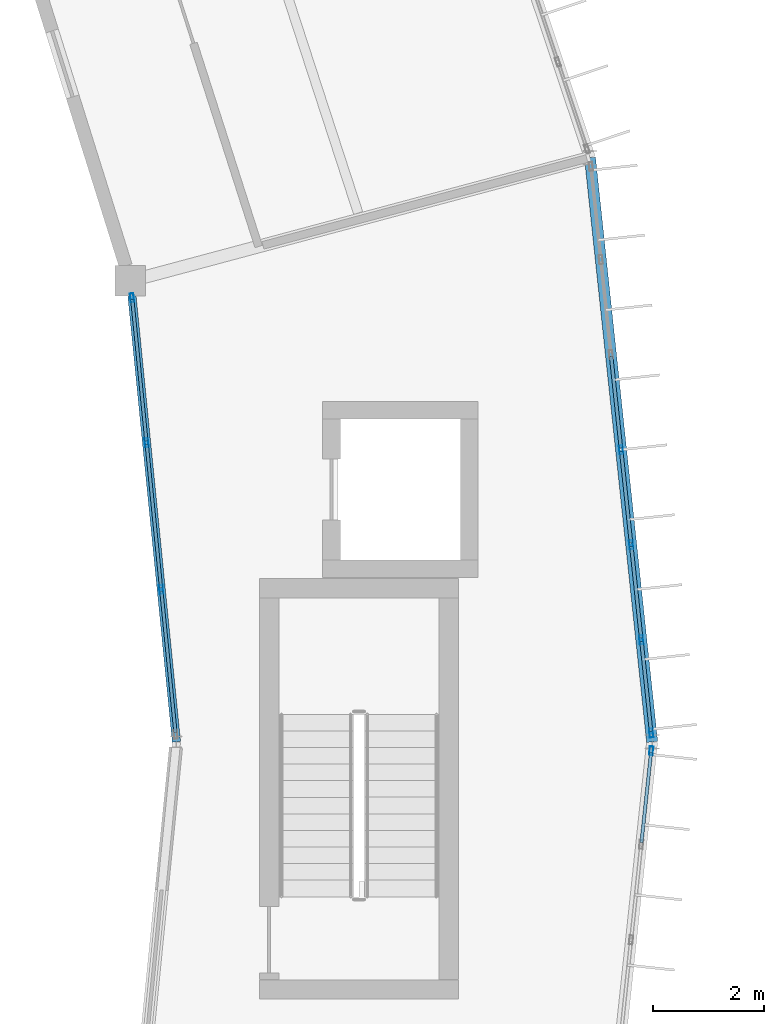
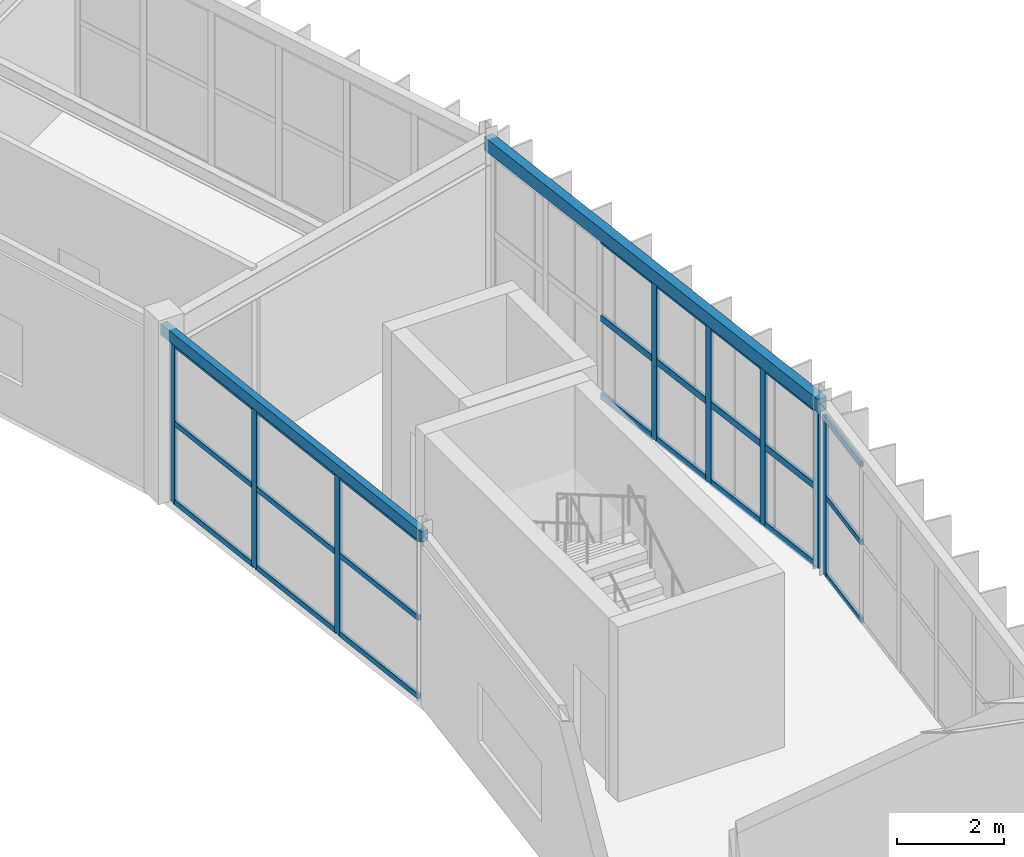
# One storey, part 51 of 106: 32 members, 2 beams, 3 elements without a shape of their own.
"""IFC4 building model written with IfcOpenShell, lengths in metres."""

from ifc_helpers import new_model, si_unit, direction, frame, origin, origin_2d, place, context, subcontext, project, spatial, hollow_rectangle, extrude, material, material_profile, profile_set, type_object, element, aggregate, save


model = new_model("IFC4")

# Units and contexts
model_context = context("Model", 3, precision=1e-05, world=origin(), true_north=direction((0.0, 1.0)))
body_context = subcontext(model_context, "Body", "Model", "MODEL_VIEW")
ifc_project = project(units=[si_unit("LENGTHUNIT", "METRE"), si_unit("AREAUNIT", "SQUARE_METRE"), si_unit("VOLUMEUNIT", "CUBIC_METRE"), si_unit("PLANEANGLEUNIT", "RADIAN"), si_unit("MASSUNIT", "GRAM", prefix="KILO")], contexts=[model_context])

# Site, building, storey
site_placement = place(None, origin())
site = spatial("IfcSite", under=ifc_project, at=site_placement, CompositionType="ELEMENT")
building_placement = place(site_placement, origin())
building = spatial("IfcBuilding", under=site, at=building_placement, Name="Karori Crest Natural Sciences Institute", CompositionType="ELEMENT")
storey_placement = place(building_placement, frame((0.0, 0.0, 25.89990234375)))
storey = spatial("IfcBuildingStorey", under=building, at=storey_placement, Name="L06", CompositionType="ELEMENT", Elevation=25.89990234375)

# Beams
ifc_material_1 = material(Name="Hollow structural steel AS/NZS 1163 Grade C350", Category="steel")
ifc_material_profile_1 = material_profile(ifc_material_1, hollow_rectangle(XDim=0.199951171875, YDim=0.300048828125, WallThickness=0.010009765625, at=origin_2d()), Name="RHS300x200x10")
ifc_profile_set_1 = profile_set([ifc_material_profile_1], Name="Hollow structural steel AS/NZS 1163 Grade C350")
beam_type_1 = type_object("IfcBeamType", Name="BT-15", PredefinedType="SPANDREL", material=ifc_profile_set_1)
beam_1_placement = place(storey_placement, frame((99.39990234375, 49.89990234375, 3.7900390625), z_axis=(-0.105868278464, 0.994380162521, 0.0), x_axis=(-0.994380162521, -0.105868278464, 0.0)))
element("IfcBeam", 1, at=beam_1_placement, inside=storey, type_object=beam_type_1, Name="Beam B-0619", PredefinedType="SPANDREL", context=body_context, shape_type="SweptSolid", body=[
    extrude(hollow_rectangle(XDim=0.199951171875, YDim=0.300048828125, WallThickness=0.010009765625, at=origin_2d()), origin(), (0.0, 0.0, 1.0), 10.619384765625),
])
ifc_material_profile_2 = material_profile(ifc_material_1, hollow_rectangle(XDim=0.14990234375, YDim=0.25, WallThickness=0.009033203125, at=origin_2d()), Name="RHS250x150x9")
ifc_profile_set_2 = profile_set([ifc_material_profile_2], Name="Hollow structural steel AS/NZS 1163 Grade C350")
beam_type_2 = type_object("IfcBeamType", Name="BT-16", PredefinedType="SPANDREL", material=ifc_profile_set_2)
beam_2_placement = place(storey_placement, frame((90.800048828125, 49.89990234375, 3.7900390625), z_axis=(-0.099284371237, 0.99505910057, 0.0), x_axis=(-0.99505910057, -0.099284371237, 0.0)))
element("IfcBeam", 2, at=beam_2_placement, inside=storey, type_object=beam_type_2, Name="Beam B-0620", PredefinedType="SPANDREL", context=body_context, shape_type="SweptSolid", body=[
    extrude(hollow_rectangle(XDim=0.14990234375, YDim=0.25, WallThickness=0.009033203125, at=origin_2d()), origin(), (0.0, 0.0, 1.0), 8.37548828125),
])

# Curtain wall, member
ifc_material_2 = material(Name="Anodised architectural aluminium 6063-T6", Category="aluminium")
curtain_wall_type_1 = type_object("IfcCurtainWallType", Name="CWT-04", PredefinedType="NOTDEFINED", material=ifc_material_2)
curtain_wall_1_placement = place(storey_placement, origin())
curtain_wall_1 = element("IfcCurtainWall", 3, at=curtain_wall_1_placement, inside=storey, type_object=curtain_wall_type_1, Name="Curtain wall CW-0219", PredefinedType="NOTDEFINED")
ifc_material_profile_3 = material_profile(ifc_material_2, hollow_rectangle(XDim=0.06494140625, YDim=0.159912109375, WallThickness=0.00390625, at=origin_2d()), Name="CWM160x65x4")
ifc_profile_set_3 = profile_set([ifc_material_profile_3], Name="Anodised architectural aluminium 6063-T6")
member_type_1 = type_object("IfcMemberType", Name="CWM-01", PredefinedType="MULLION", material=ifc_profile_set_3)
member_1_placement = place(storey_placement, frame((99.383056640625, 49.73974609375, 0.0), z_axis=(0.0, 0.0, 1.0), x_axis=(0.994378309998, -0.105885677057, 0.0)))
member_1 = element("IfcMember", 4, at=member_1_placement, type_object=member_type_1, Name="CW-0219 mullion 1", PredefinedType="MULLION", context=body_context, shape_type="SweptSolid", body=[
    extrude(hollow_rectangle(XDim=0.06494140625, YDim=0.159912109375, WallThickness=0.00390625, at=origin_2d()), origin(), (0.0, 0.0, 1.0), 3.625),
])

# Curtain wall, members
curtain_wall_type_2 = type_object("IfcCurtainWallType", Name="CWT-01", PredefinedType="NOTDEFINED", material=ifc_material_2)
curtain_wall_2_placement = place(storey_placement, origin())
curtain_wall_2 = element("IfcCurtainWall", 5, at=curtain_wall_2_placement, inside=storey, type_object=curtain_wall_type_2, Name="Curtain wall CW-0220", PredefinedType="NOTDEFINED")
member_2_placement = place(storey_placement, frame((98.837646484375, 55.181396484375, 0.0), z_axis=(0.0, 0.0, 1.0), x_axis=(0.994378435661, 0.105884496939, 0.0)))
member_2 = element("IfcMember", 6, at=member_2_placement, type_object=member_type_1, Name="CW-0220 mullion 4", PredefinedType="MULLION", context=body_context, shape_type="SweptSolid", body=[
    extrude(hollow_rectangle(XDim=0.06494140625, YDim=0.159912109375, WallThickness=0.00390625, at=origin_2d()), origin(), (0.0, 0.0, 1.0), 3.625),
])
member_3_placement = place(storey_placement, frame((99.0205078125, 53.463623046875, 0.0), z_axis=(0.0, 0.0, 1.0), x_axis=(0.994378435661, 0.105884496939, 0.0)))
member_3 = element("IfcMember", 7, at=member_3_placement, type_object=member_type_1, Name="CW-0220 mullion 5", PredefinedType="MULLION", context=body_context, shape_type="SweptSolid", body=[
    extrude(hollow_rectangle(XDim=0.06494140625, YDim=0.159912109375, WallThickness=0.00390625, at=origin_2d()), origin(), (0.0, 0.0, 1.0), 3.625),
])
member_4_placement = place(storey_placement, frame((99.203369140625, 51.745849609375, 0.0), z_axis=(0.0, 0.0, 1.0), x_axis=(0.994378435661, 0.105884496939, 0.0)))
member_4 = element("IfcMember", 8, at=member_4_placement, type_object=member_type_1, Name="CW-0220 mullion 6", PredefinedType="MULLION", context=body_context, shape_type="SweptSolid", body=[
    extrude(hollow_rectangle(XDim=0.06494140625, YDim=0.159912109375, WallThickness=0.00390625, at=origin_2d()), origin(), (0.0, 0.0, 1.0), 3.625),
])
member_5_placement = place(storey_placement, frame((99.383056640625, 50.060302734375, 0.0), z_axis=(0.0, 0.0, 1.0), x_axis=(0.994378435661, 0.105884496939, 0.0)))
member_5 = element("IfcMember", 9, at=member_5_placement, type_object=member_type_1, Name="CW-0220 mullion 7", PredefinedType="MULLION", context=body_context, shape_type="SweptSolid", body=[
    extrude(hollow_rectangle(XDim=0.06494140625, YDim=0.159912109375, WallThickness=0.00390625, at=origin_2d()), origin(), (0.0, 0.0, 1.0), 3.625),
])

curtain_wall_type_3 = type_object("IfcCurtainWallType", Name="CWT-11", PredefinedType="NOTDEFINED", material=ifc_material_2)
curtain_wall_3_placement = place(storey_placement, origin())
curtain_wall_3 = element("IfcCurtainWall", 10, at=curtain_wall_3_placement, inside=storey, type_object=curtain_wall_type_3, Name="Curtain wall CW-0221", PredefinedType="NOTDEFINED")
member_6_placement = place(storey_placement, frame((90.525146484375, 52.65576171875, 0.0), z_axis=(0.0, 0.0, 1.0), x_axis=(-0.995060684604, -0.099268494275, 0.0)))
member_6 = element("IfcMember", 11, at=member_6_placement, type_object=member_type_1, Name="CW-0221 mullion 2", PredefinedType="MULLION", context=body_context, shape_type="SweptSolid", body=[
    extrude(hollow_rectangle(XDim=0.06494140625, YDim=0.159912109375, WallThickness=0.00390625, at=origin_2d()), origin(), (0.0, 0.0, 1.0), 3.650146484375),
])
member_7_placement = place(storey_placement, frame((90.260498046875, 55.308349609375, 0.0), z_axis=(0.0, 0.0, 1.0), x_axis=(-0.995060684604, -0.099268494275, 0.0)))
member_7 = element("IfcMember", 12, at=member_7_placement, type_object=member_type_1, Name="CW-0221 mullion 3", PredefinedType="MULLION", context=body_context, shape_type="SweptSolid", body=[
    extrude(hollow_rectangle(XDim=0.06494140625, YDim=0.159912109375, WallThickness=0.00390625, at=origin_2d()), origin(), (0.0, 0.0, 1.0), 3.650146484375),
])
member_8_placement = place(storey_placement, frame((89.9990234375, 57.9287109375, 0.0), z_axis=(0.0, 0.0, 1.0), x_axis=(-0.995060684604, -0.099268494275, 0.0)))
member_8 = element("IfcMember", 13, at=member_8_placement, type_object=member_type_1, Name="CW-0221 mullion 4", PredefinedType="MULLION", context=body_context, shape_type="SweptSolid", body=[
    extrude(hollow_rectangle(XDim=0.06494140625, YDim=0.159912109375, WallThickness=0.00390625, at=origin_2d()), origin(), (0.0, 0.0, 1.0), 3.650146484375),
])

# Member
ifc_material_profile_4 = material_profile(ifc_material_2, hollow_rectangle(XDim=0.06005859375, YDim=0.1201171875, WallThickness=0.00390625, at=origin_2d()), Name="CWT120x60x4")
ifc_profile_set_4 = profile_set([ifc_material_profile_4], Name="Anodised architectural aluminium 6063-T6")
member_type_2 = type_object("IfcMemberType", Name="CWT-TR1", PredefinedType="USERDEFINED", material=ifc_profile_set_4)
member_9_placement = place(storey_placement, frame((99.379638671875, 49.707275390625, 0.030029296875), z_axis=(-0.105996192923, -0.994366535582, 0.0), x_axis=(0.994366535582, -0.105996192923, 0.0)))
member_9 = element("IfcMember", 14, at=member_9_placement, type_object=member_type_2, Name="CW-0219 transom 1.1", ObjectType="TRANSOM", PredefinedType="USERDEFINED", context=body_context, shape_type="SweptSolid", body=[
    extrude(hollow_rectangle(XDim=0.06005859375, YDim=0.1201171875, WallThickness=0.00390625, at=origin_2d()), origin(), (0.0, 0.0, 1.0), 1.6376953125),
])

member_10_placement = place(storey_placement, frame((99.379638671875, 49.707275390625, 1.8125), z_axis=(-0.105996192923, -0.994366535582, 0.0), x_axis=(0.994366535582, -0.105996192923, 0.0)))
member_10 = element("IfcMember", 15, at=member_10_placement, type_object=member_type_2, Name="CW-0219 transom 1.2", ObjectType="TRANSOM", PredefinedType="USERDEFINED", context=body_context, shape_type="SweptSolid", body=[
    extrude(hollow_rectangle(XDim=0.06005859375, YDim=0.1201171875, WallThickness=0.00390625, at=origin_2d()), origin(), (0.0, 0.0, 1.0), 1.6376953125),
])

member_11_placement = place(storey_placement, frame((99.379638671875, 49.707275390625, 3.59521484375), z_axis=(-0.105996192923, -0.994366535582, 0.0), x_axis=(0.994366535582, -0.105996192923, 0.0)))
member_11 = element("IfcMember", 16, at=member_11_placement, type_object=member_type_2, Name="CW-0219 transom 1.3", ObjectType="TRANSOM", PredefinedType="USERDEFINED", context=body_context, shape_type="SweptSolid", body=[
    extrude(hollow_rectangle(XDim=0.06005859375, YDim=0.1201171875, WallThickness=0.00390625, at=origin_2d()), origin(), (0.0, 0.0, 1.0), 1.6376953125),
])

aggregate(curtain_wall_1, [member_1, member_9, member_10, member_11])

member_12_placement = place(storey_placement, frame((90.783203125, 50.067626953125, 0.030029296875), z_axis=(-0.099240189366, 0.99506350793, 0.0), x_axis=(-0.99506350793, -0.099240189366, 0.0)))
member_12 = element("IfcMember", 17, at=member_12_placement, type_object=member_type_2, Name="CW-0221 transom 1.1", ObjectType="TRANSOM", PredefinedType="USERDEFINED", context=body_context, shape_type="SweptSolid", body=[
    extrude(hollow_rectangle(XDim=0.06005859375, YDim=0.1201171875, WallThickness=0.00390625, at=origin_2d()), origin(), (0.0, 0.0, 1.0), 2.568359375),
])

member_13_placement = place(storey_placement, frame((90.783203125, 50.067626953125, 1.8251953125), z_axis=(-0.099240189366, 0.99506350793, 0.0), x_axis=(-0.99506350793, -0.099240189366, 0.0)))
member_13 = element("IfcMember", 18, at=member_13_placement, type_object=member_type_2, Name="CW-0221 transom 1.2", ObjectType="TRANSOM", PredefinedType="USERDEFINED", context=body_context, shape_type="SweptSolid", body=[
    extrude(hollow_rectangle(XDim=0.06005859375, YDim=0.1201171875, WallThickness=0.00390625, at=origin_2d()), origin(), (0.0, 0.0, 1.0), 2.568359375),
])

member_14_placement = place(storey_placement, frame((90.783203125, 50.067626953125, 3.6201171875), z_axis=(-0.099240189366, 0.99506350793, 0.0), x_axis=(-0.99506350793, -0.099240189366, 0.0)))
member_14 = element("IfcMember", 19, at=member_14_placement, type_object=member_type_2, Name="CW-0221 transom 1.3", ObjectType="TRANSOM", PredefinedType="USERDEFINED", context=body_context, shape_type="SweptSolid", body=[
    extrude(hollow_rectangle(XDim=0.06005859375, YDim=0.1201171875, WallThickness=0.00390625, at=origin_2d()), origin(), (0.0, 0.0, 1.0), 2.568359375),
])

member_15_placement = place(storey_placement, frame((90.521728515625, 52.68798828125, 0.030029296875), z_axis=(-0.099224881273, 0.995065034526, 0.0), x_axis=(-0.995065034526, -0.099224881273, 0.0)))
member_15 = element("IfcMember", 20, at=member_15_placement, type_object=member_type_2, Name="CW-0221 transom 2.1", ObjectType="TRANSOM", PredefinedType="USERDEFINED", context=body_context, shape_type="SweptSolid", body=[
    extrude(hollow_rectangle(XDim=0.06005859375, YDim=0.1201171875, WallThickness=0.00390625, at=origin_2d()), origin(), (0.0, 0.0, 1.0), 2.600830078125),
])

member_16_placement = place(storey_placement, frame((90.521728515625, 52.68798828125, 1.8251953125), z_axis=(-0.099224881273, 0.995065034526, 0.0), x_axis=(-0.995065034526, -0.099224881273, 0.0)))
member_16 = element("IfcMember", 21, at=member_16_placement, type_object=member_type_2, Name="CW-0221 transom 2.2", ObjectType="TRANSOM", PredefinedType="USERDEFINED", context=body_context, shape_type="SweptSolid", body=[
    extrude(hollow_rectangle(XDim=0.06005859375, YDim=0.1201171875, WallThickness=0.00390625, at=origin_2d()), origin(), (0.0, 0.0, 1.0), 2.600830078125),
])

member_17_placement = place(storey_placement, frame((90.521728515625, 52.68798828125, 3.6201171875), z_axis=(-0.099224881273, 0.995065034526, 0.0), x_axis=(-0.995065034526, -0.099224881273, 0.0)))
member_17 = element("IfcMember", 22, at=member_17_placement, type_object=member_type_2, Name="CW-0221 transom 2.3", ObjectType="TRANSOM", PredefinedType="USERDEFINED", context=body_context, shape_type="SweptSolid", body=[
    extrude(hollow_rectangle(XDim=0.06005859375, YDim=0.1201171875, WallThickness=0.00390625, at=origin_2d()), origin(), (0.0, 0.0, 1.0), 2.600830078125),
])

member_18_placement = place(storey_placement, frame((90.25732421875, 55.340576171875, 0.030029296875), z_axis=(-0.0993343095, 0.995054116597, 0.0), x_axis=(-0.995054116597, -0.0993343095, 0.0)))
member_18 = element("IfcMember", 23, at=member_18_placement, type_object=member_type_2, Name="CW-0221 transom 3.1", ObjectType="TRANSOM", PredefinedType="USERDEFINED", context=body_context, shape_type="SweptSolid", body=[
    extrude(hollow_rectangle(XDim=0.06005859375, YDim=0.1201171875, WallThickness=0.00390625, at=origin_2d()), origin(), (0.0, 0.0, 1.0), 2.568359375),
])

member_19_placement = place(storey_placement, frame((90.25732421875, 55.340576171875, 1.8251953125), z_axis=(-0.0993343095, 0.995054116597, 0.0), x_axis=(-0.995054116597, -0.0993343095, 0.0)))
member_19 = element("IfcMember", 24, at=member_19_placement, type_object=member_type_2, Name="CW-0221 transom 3.2", ObjectType="TRANSOM", PredefinedType="USERDEFINED", context=body_context, shape_type="SweptSolid", body=[
    extrude(hollow_rectangle(XDim=0.06005859375, YDim=0.1201171875, WallThickness=0.00390625, at=origin_2d()), origin(), (0.0, 0.0, 1.0), 2.568359375),
])

member_20_placement = place(storey_placement, frame((90.25732421875, 55.340576171875, 3.6201171875), z_axis=(-0.0993343095, 0.995054116597, 0.0), x_axis=(-0.995054116597, -0.0993343095, 0.0)))
member_20 = element("IfcMember", 25, at=member_20_placement, type_object=member_type_2, Name="CW-0221 transom 3.3", ObjectType="TRANSOM", PredefinedType="USERDEFINED", context=body_context, shape_type="SweptSolid", body=[
    extrude(hollow_rectangle(XDim=0.06005859375, YDim=0.1201171875, WallThickness=0.00390625, at=origin_2d()), origin(), (0.0, 0.0, 1.0), 2.568359375),
])

aggregate(curtain_wall_3, [member_6, member_7, member_8, member_12, member_13, member_14, member_15, member_16, member_17, member_18, member_19, member_20])

ifc_material_profile_5 = material_profile(ifc_material_2, hollow_rectangle(XDim=0.06494140625, YDim=0.14990234375, WallThickness=0.00390625, at=origin_2d()), Name="CWT150x65x4")
ifc_profile_set_5 = profile_set([ifc_material_profile_5], Name="Anodised architectural aluminium 6063-T6")
member_type_3 = type_object("IfcMemberType", Name="CWT-TR2", PredefinedType="USERDEFINED", material=ifc_profile_set_5)
member_21_placement = place(storey_placement, frame((98.658203125, 56.866943359375, 0.03271484375), z_axis=(0.105869463411, -0.994380036363, 0.0), x_axis=(0.994380036363, 0.105869463411, 0.0)))
member_21 = element("IfcMember", 26, at=member_21_placement, type_object=member_type_3, Name="CW-0220 transom 3.1", ObjectType="TRANSOM", PredefinedType="USERDEFINED", context=body_context, shape_type="SweptSolid", body=[
    extrude(hollow_rectangle(XDim=0.06494140625, YDim=0.14990234375, WallThickness=0.00390625, at=origin_2d()), origin(), (0.0, 0.0, 1.0), 1.66259765625),
])

member_22_placement = place(storey_placement, frame((98.658203125, 56.866943359375, 1.8125), z_axis=(0.105869463411, -0.994380036363, 0.0), x_axis=(0.994380036363, 0.105869463411, 0.0)))
member_22 = element("IfcMember", 27, at=member_22_placement, type_object=member_type_3, Name="CW-0220 transom 3.2", ObjectType="TRANSOM", PredefinedType="USERDEFINED", context=body_context, shape_type="SweptSolid", body=[
    extrude(hollow_rectangle(XDim=0.06494140625, YDim=0.14990234375, WallThickness=0.00390625, at=origin_2d()), origin(), (0.0, 0.0, 1.0), 1.66259765625),
])

member_23_placement = place(storey_placement, frame((98.658203125, 56.866943359375, 3.592529296875), z_axis=(0.105869463411, -0.994380036363, 0.0), x_axis=(0.994380036363, 0.105869463411, 0.0)))
member_23 = element("IfcMember", 28, at=member_23_placement, type_object=member_type_3, Name="CW-0220 transom 3.3", ObjectType="TRANSOM", PredefinedType="USERDEFINED", context=body_context, shape_type="SweptSolid", body=[
    extrude(hollow_rectangle(XDim=0.06494140625, YDim=0.14990234375, WallThickness=0.00390625, at=origin_2d()), origin(), (0.0, 0.0, 1.0), 1.66259765625),
])

member_24_placement = place(storey_placement, frame((98.841064453125, 55.149169921875, 0.03271484375), z_axis=(0.105869463411, -0.994380036363, 0.0), x_axis=(0.994380036363, 0.105869463411, 0.0)))
member_24 = element("IfcMember", 29, at=member_24_placement, type_object=member_type_3, Name="CW-0220 transom 4.1", ObjectType="TRANSOM", PredefinedType="USERDEFINED", context=body_context, shape_type="SweptSolid", body=[
    extrude(hollow_rectangle(XDim=0.06494140625, YDim=0.14990234375, WallThickness=0.00390625, at=origin_2d()), origin(), (0.0, 0.0, 1.0), 1.66259765625),
])

member_25_placement = place(storey_placement, frame((98.841064453125, 55.149169921875, 1.8125), z_axis=(0.105869463411, -0.994380036363, 0.0), x_axis=(0.994380036363, 0.105869463411, 0.0)))
member_25 = element("IfcMember", 30, at=member_25_placement, type_object=member_type_3, Name="CW-0220 transom 4.2", ObjectType="TRANSOM", PredefinedType="USERDEFINED", context=body_context, shape_type="SweptSolid", body=[
    extrude(hollow_rectangle(XDim=0.06494140625, YDim=0.14990234375, WallThickness=0.00390625, at=origin_2d()), origin(), (0.0, 0.0, 1.0), 1.66259765625),
])

member_26_placement = place(storey_placement, frame((98.841064453125, 55.149169921875, 3.592529296875), z_axis=(0.105869463411, -0.994380036363, 0.0), x_axis=(0.994380036363, 0.105869463411, 0.0)))
member_26 = element("IfcMember", 31, at=member_26_placement, type_object=member_type_3, Name="CW-0220 transom 4.3", ObjectType="TRANSOM", PredefinedType="USERDEFINED", context=body_context, shape_type="SweptSolid", body=[
    extrude(hollow_rectangle(XDim=0.06494140625, YDim=0.14990234375, WallThickness=0.00390625, at=origin_2d()), origin(), (0.0, 0.0, 1.0), 1.66259765625),
])

member_27_placement = place(storey_placement, frame((99.02392578125, 53.431396484375, 0.03271484375), z_axis=(0.105869463411, -0.994380036363, 0.0), x_axis=(0.994380036363, 0.105869463411, 0.0)))
member_27 = element("IfcMember", 32, at=member_27_placement, type_object=member_type_3, Name="CW-0220 transom 5.1", ObjectType="TRANSOM", PredefinedType="USERDEFINED", context=body_context, shape_type="SweptSolid", body=[
    extrude(hollow_rectangle(XDim=0.06494140625, YDim=0.14990234375, WallThickness=0.00390625, at=origin_2d()), origin(), (0.0, 0.0, 1.0), 1.66259765625),
])

member_28_placement = place(storey_placement, frame((99.02392578125, 53.431396484375, 1.8125), z_axis=(0.105869463411, -0.994380036363, 0.0), x_axis=(0.994380036363, 0.105869463411, 0.0)))
member_28 = element("IfcMember", 33, at=member_28_placement, type_object=member_type_3, Name="CW-0220 transom 5.2", ObjectType="TRANSOM", PredefinedType="USERDEFINED", context=body_context, shape_type="SweptSolid", body=[
    extrude(hollow_rectangle(XDim=0.06494140625, YDim=0.14990234375, WallThickness=0.00390625, at=origin_2d()), origin(), (0.0, 0.0, 1.0), 1.66259765625),
])

member_29_placement = place(storey_placement, frame((99.02392578125, 53.431396484375, 3.592529296875), z_axis=(0.105869463411, -0.994380036363, 0.0), x_axis=(0.994380036363, 0.105869463411, 0.0)))
member_29 = element("IfcMember", 34, at=member_29_placement, type_object=member_type_3, Name="CW-0220 transom 5.3", ObjectType="TRANSOM", PredefinedType="USERDEFINED", context=body_context, shape_type="SweptSolid", body=[
    extrude(hollow_rectangle(XDim=0.06494140625, YDim=0.14990234375, WallThickness=0.00390625, at=origin_2d()), origin(), (0.0, 0.0, 1.0), 1.66259765625),
])

member_30_placement = place(storey_placement, frame((99.20703125, 51.71337890625, 0.03271484375), z_axis=(0.105893191658, -0.994377509782, 0.0), x_axis=(0.994377509782, 0.105893191658, 0.0)))
member_30 = element("IfcMember", 35, at=member_30_placement, type_object=member_type_3, Name="CW-0220 transom 6.1", ObjectType="TRANSOM", PredefinedType="USERDEFINED", context=body_context, shape_type="SweptSolid", body=[
    extrude(hollow_rectangle(XDim=0.06494140625, YDim=0.14990234375, WallThickness=0.00390625, at=origin_2d()), origin(), (0.0, 0.0, 1.0), 1.630126953125),
])

member_31_placement = place(storey_placement, frame((99.20703125, 51.71337890625, 1.8125), z_axis=(0.105893191658, -0.994377509782, 0.0), x_axis=(0.994377509782, 0.105893191658, 0.0)))
member_31 = element("IfcMember", 36, at=member_31_placement, type_object=member_type_3, Name="CW-0220 transom 6.2", ObjectType="TRANSOM", PredefinedType="USERDEFINED", context=body_context, shape_type="SweptSolid", body=[
    extrude(hollow_rectangle(XDim=0.06494140625, YDim=0.14990234375, WallThickness=0.00390625, at=origin_2d()), origin(), (0.0, 0.0, 1.0), 1.630126953125),
])

member_32_placement = place(storey_placement, frame((99.20703125, 51.71337890625, 3.592529296875), z_axis=(0.105893191658, -0.994377509782, 0.0), x_axis=(0.994377509782, 0.105893191658, 0.0)))
member_32 = element("IfcMember", 37, at=member_32_placement, type_object=member_type_3, Name="CW-0220 transom 6.3", ObjectType="TRANSOM", PredefinedType="USERDEFINED", context=body_context, shape_type="SweptSolid", body=[
    extrude(hollow_rectangle(XDim=0.06494140625, YDim=0.14990234375, WallThickness=0.00390625, at=origin_2d()), origin(), (0.0, 0.0, 1.0), 1.630126953125),
])

aggregate(curtain_wall_2, [member_2, member_3, member_4, member_5, member_21, member_22, member_23, member_24, member_25, member_26, member_27, member_28, member_29, member_30, member_31, member_32])

save(model, "model.ifc")
